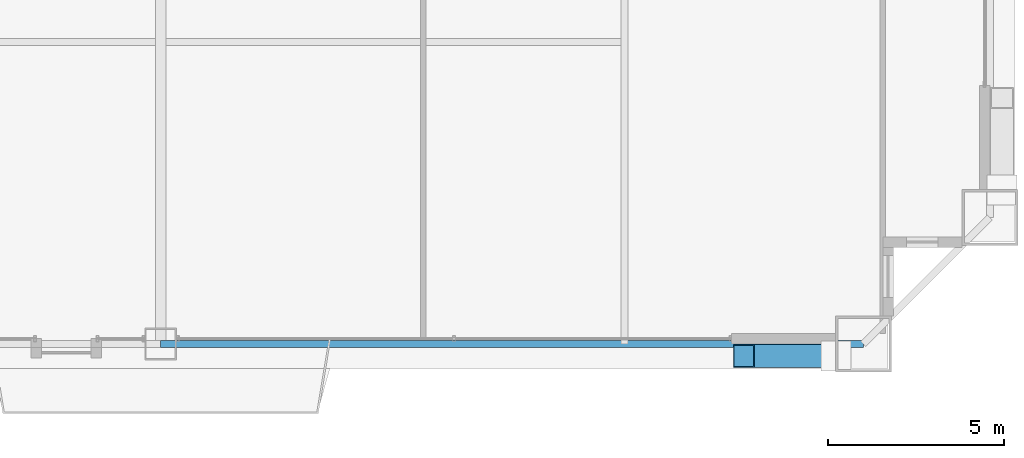
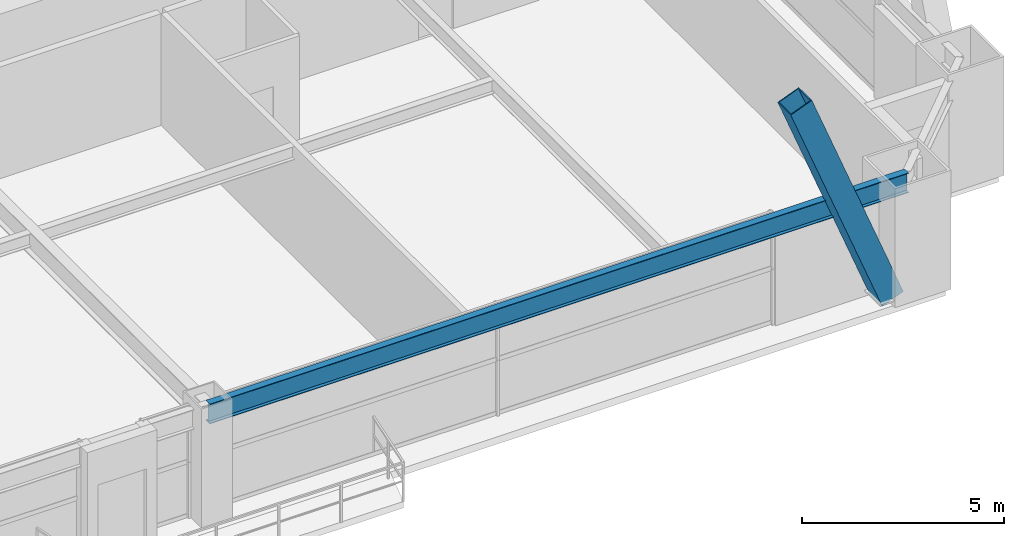
# One storey, part 15 of 43: 1 beam, 1 member.
"""IFC4 building model written with IfcOpenShell, lengths in metres."""

from ifc_helpers import new_model, si_unit, direction, frame, origin, origin_2d, place, context, subcontext, project, spatial, hollow_rectangle, i_section, extrude, source, transform, mapped, material, material_profile, profile_set, type_object, element, save


model = new_model("IFC4")

# Units and contexts
model_context = context("Model", 3, precision=1e-05, world=origin(), true_north=direction((0.0, 1.0)))
body_context = subcontext(model_context, "Body", "Model", "MODEL_VIEW")
ifc_project = project(units=[si_unit("LENGTHUNIT", "METRE"), si_unit("AREAUNIT", "SQUARE_METRE"), si_unit("VOLUMEUNIT", "CUBIC_METRE"), si_unit("PLANEANGLEUNIT", "RADIAN"), si_unit("MASSUNIT", "GRAM", prefix="KILO"), si_unit("THERMODYNAMICTEMPERATUREUNIT", "KELVIN"), si_unit("POWERUNIT", "WATT")], contexts=[model_context])

# Site, building, storey
site_placement = place(None, origin())
site = spatial("IfcSite", under=ifc_project, at=site_placement, CompositionType="ELEMENT")
building_placement = place(site_placement, origin())
building = spatial("IfcBuilding", under=site, at=building_placement, Name="Yuzanri Waterfront Tower", CompositionType="ELEMENT")
storey_placement = place(building_placement, frame((0.0, 0.0, 101.0)))
storey = spatial("IfcBuildingStorey", under=building, at=storey_placement, Name="L26", CompositionType="ELEMENT", Elevation=101.0)

# Beam
ifc_material_1 = material(Name="Steel Q355B", Category="steel")
ifc_material_profile_1 = material_profile(ifc_material_1, i_section(OverallWidth=0.199951171875, OverallDepth=0.60009765625, WebThickness=0.010986328125, FlangeThickness=0.01708984375, at=origin_2d()), Name="HN 600x200x11x17")
ifc_profile_set_1 = profile_set([ifc_material_profile_1], Name="Steel Q355B")
beam_type = type_object("IfcBeamType", Name="Perimeter Spandrel Q355B HN 600x200", PredefinedType="SPANDREL", material=ifc_profile_set_1)
shared_shape_1 = source(origin(), body_context, "Body", "SweptSolid", [
    extrude(i_section(OverallWidth=0.199951171875, OverallDepth=0.60009765625, WebThickness=0.010986328125, FlangeThickness=0.01708984375, at=origin_2d()), origin(), (0.0, 0.0, 1.0), 20.0),
])
beam_placement = place(storey_placement, frame((37.0, 2.199951171875, 3.080078125), z_axis=(1.0, 0.0, 0.0), x_axis=(0.0, 1.0, 0.0)))
element("IfcBeam", 1, at=beam_placement, inside=storey, type_object=beam_type, Name="L26 Perimeter Spandrel S2-S3", PredefinedType="SPANDREL", context=body_context, shape_type="MappedRepresentation", body=[
    mapped(shared_shape_1, transform((0.0, 0.0, 0.0), scale=1.0)),
])

# Member
ifc_material_2 = material(Name="Steel Q420GJC", Category="steel")
ifc_material_profile_2 = material_profile(ifc_material_2, hollow_rectangle(XDim=0.64990234375, YDim=0.64990234375, WallThickness=0.028076171875, at=origin_2d()), Name="RHS 650x650x28")
ifc_profile_set_2 = profile_set([ifc_material_profile_2], Name="Steel Q420GJC")
member_type = type_object("IfcMemberType", Name="Mega Brace Lower Q420GJC RHS 650x650x28", PredefinedType="BRACE", material=ifc_profile_set_2)
shared_shape_2 = source(origin(), body_context, "Body", "SweptSolid", [
    extrude(hollow_rectangle(XDim=0.64990234375, YDim=0.64990234375, WallThickness=0.028076171875, at=origin_2d()), origin(), (0.0, 0.0, 1.0), 7.19384765625),
])
member_placement = place(storey_placement, frame((56.219970703125, 1.860107421875, 0.179931640625), z_axis=(-0.36417668996, 0.0, 0.9313298763), x_axis=(0.0, -1.0, 0.0)))
element("IfcMember", 2, at=member_placement, inside=storey, type_object=member_type, Name="L26-L27 Perimeter Mega-Brace S-R", PredefinedType="BRACE", context=body_context, shape_type="MappedRepresentation", body=[
    mapped(shared_shape_2, transform((0.0, 0.0, 0.0), scale=1.0)),
])

save(model, "model.ifc")
